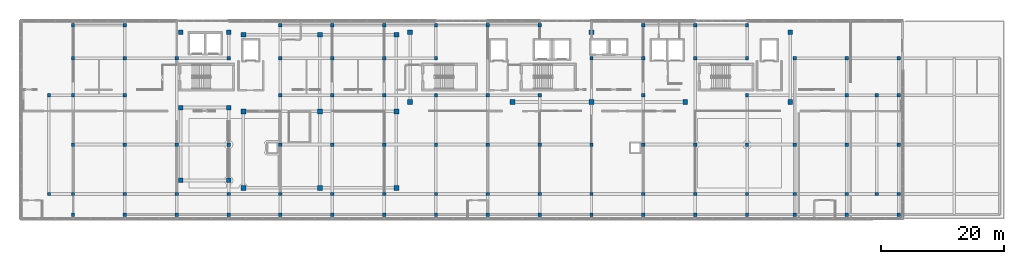
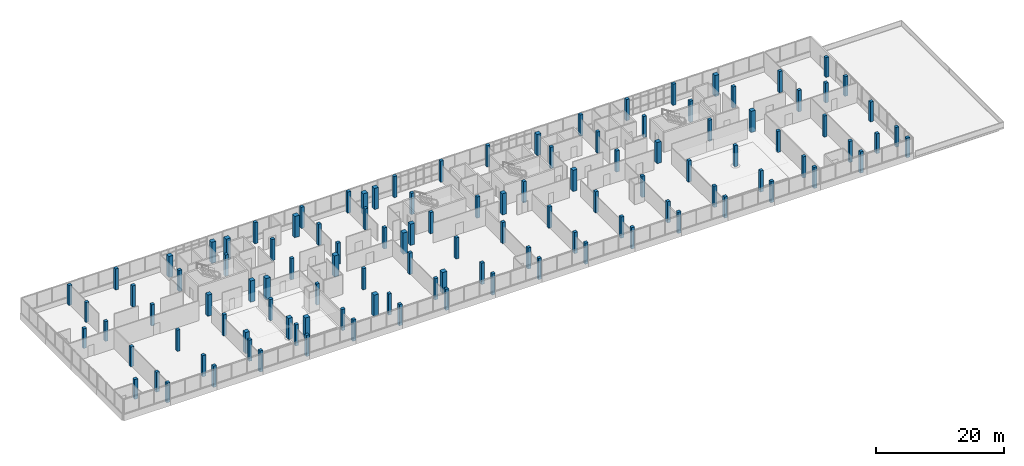
# One storey, part 1 of 66: 116 columns.
"""IFC4 building model written with IfcOpenShell, lengths in metres."""

from ifc_helpers import new_model, si_unit, direction, frame, origin, origin_2d, place, context, subcontext, project, spatial, rectangle, extrude, material, material_profile, profile_set, type_object, element, save


model = new_model("IFC4")

# Units and contexts
model_context = context("Model", 3, precision=1e-05, world=origin(), true_north=direction((0.0, 1.0)))
body_context = subcontext(model_context, "Body", "Model", "MODEL_VIEW")
ifc_project = project(units=[si_unit("LENGTHUNIT", "METRE"), si_unit("AREAUNIT", "SQUARE_METRE"), si_unit("VOLUMEUNIT", "CUBIC_METRE"), si_unit("PLANEANGLEUNIT", "RADIAN"), si_unit("MASSUNIT", "GRAM", prefix="KILO")], contexts=[model_context])

# Site, building, storey
site_placement = place(None, origin())
site = spatial("IfcSite", under=ifc_project, at=site_placement, CompositionType="ELEMENT")
building_placement = place(site_placement, origin())
building = spatial("IfcBuilding", under=site, at=building_placement, Name="Selatvlak General Hospital", CompositionType="ELEMENT")
storey_placement = place(building_placement, frame((0.0, 0.0, 31.35009765625)))
storey = spatial("IfcBuildingStorey", under=building, at=storey_placement, Name="L07", CompositionType="ELEMENT", Elevation=31.35009765625)

# Columns
ifc_material_1 = material(Name="Concrete C40/50", Category="concrete")
ifc_material_profile_1 = material_profile(ifc_material_1, rectangle(XDim=0.550048828125, YDim=0.550048828125, at=origin_2d()), Name="RC-COL 550x550")
ifc_profile_set_1 = profile_set([ifc_material_profile_1], Name="Concrete C40/50")
column_type_1 = type_object("IfcColumnType", Name="COL-RC55", PredefinedType="COLUMN", material=ifc_profile_set_1)
for number, where, z_axis, x_axis, name in (
    (1, (27.300048828125, 92.0, 0.0), (0.0, 0.0, 1.0), (1.0, 0.0, 0.0), "Column 111 on L07"),
    (2, (27.300048828125, 108.0, 0.0), (0.0, 0.0, 1.0), (1.0, 0.0, 0.0), "Column 112 on L07"),
    (3, (161.39990234375, 92.0, 0.0), (0.0, 0.0, 1.0), (1.0, 0.0, 0.0), "Column 113 on L07"),
    (4, (161.39990234375, 108.0, 0.0), (0.0, 0.0, 1.0), (1.0, 0.0, 0.0), "Column 114 on L07"),
):
    element("IfcColumn", number, at=place(storey_placement, frame(where, z_axis=z_axis, x_axis=x_axis)), inside=storey, type_object=column_type_1, Name=name, PredefinedType="COLUMN", context=body_context, shape_type="SweptSolid", body=[
        extrude(rectangle(XDim=0.550048828125, YDim=0.550048828125, at=origin_2d()), origin(), (0.0, 0.0, 1.0), 3.77783203125),
    ])
for number, where, z_axis, x_axis, name in (
    (5, (31.199951171875, 88.64990234375, 0.0), (0.0, 0.0, 1.0), (1.0, 0.0, 0.0), "Column 164 on L07"),
    (6, (31.199951171875, 92.0, 0.0), (0.0, 0.0, 1.0), (1.0, 0.0, 0.0), "Column 165 on L07"),
    (7, (31.199951171875, 100.0, 0.0), (0.0, 0.0, 1.0), (1.0, 0.0, 0.0), "Column 166 on L07"),
    (8, (31.199951171875, 108.0, 0.0), (0.0, 0.0, 1.0), (1.0, 0.0, 0.0), "Column 167 on L07"),
    (9, (31.199951171875, 114.0, 0.0), (0.0, 0.0, 1.0), (1.0, 0.0, 0.0), "Column 168 on L07"),
    (10, (31.199951171875, 119.35009765625, 0.0), (0.0, 0.0, 1.0), (1.0, 0.0, 0.0), "Column 169 on L07"),
):
    element("IfcColumn", number, at=place(storey_placement, frame(where, z_axis=z_axis, x_axis=x_axis)), inside=storey, type_object=column_type_1, Name=name, PredefinedType="COLUMN", context=body_context, shape_type="SweptSolid", body=[
        extrude(rectangle(XDim=0.550048828125, YDim=0.550048828125, at=origin_2d()), origin(), (0.0, 0.0, 1.0), 3.784912109375),
    ])
for number, where, z_axis, x_axis, name in (
    (11, (39.60009765625, 88.64990234375, 0.0), (0.0, 0.0, 1.0), (1.0, 0.0, 0.0), "Column 170 on L07"),
    (12, (39.60009765625, 92.0, 0.0), (0.0, 0.0, 1.0), (1.0, 0.0, 0.0), "Column 171 on L07"),
    (13, (39.60009765625, 100.0, 0.0), (0.0, 0.0, 1.0), (1.0, 0.0, 0.0), "Column 172 on L07"),
    (14, (39.60009765625, 108.0, 0.0), (0.0, 0.0, 1.0), (1.0, 0.0, 0.0), "Column 173 on L07"),
    (15, (39.60009765625, 114.0, 0.0), (0.0, 0.0, 1.0), (1.0, 0.0, 0.0), "Column 174 on L07"),
    (16, (39.60009765625, 119.35009765625, 0.0), (0.0, 0.0, 1.0), (1.0, 0.0, 0.0), "Column 175 on L07"),
    (17, (48.0, 88.64990234375, 0.0), (0.0, 0.0, 1.0), (1.0, 0.0, 0.0), "Column 177 on L07"),
    (18, (48.0, 92.0, 0.0), (0.0, 0.0, 1.0), (1.0, 0.0, 0.0), "Column 178 on L07"),
    (19, (48.0, 100.0, 0.0), (0.0, 0.0, 1.0), (1.0, 0.0, 0.0), "Column 179 on L07"),
    (20, (48.0, 114.0, 0.0), (0.0, 0.0, 1.0), (1.0, 0.0, 0.0), "Column 180 on L07"),
    (21, (56.39990234375, 88.64990234375, 0.0), (0.0, 0.0, 1.0), (1.0, 0.0, 0.0), "Column 181 on L07"),
    (22, (56.39990234375, 92.0, 0.0), (0.0, 0.0, 1.0), (1.0, 0.0, 0.0), "Column 182 on L07"),
    (23, (56.39990234375, 100.0, 0.0), (0.0, 0.0, 1.0), (1.0, 0.0, 0.0), "Column 183 on L07"),
    (24, (56.39990234375, 114.0, 0.0), (0.0, 0.0, 1.0), (1.0, 0.0, 0.0), "Column 184 on L07"),
    (25, (64.800048828125, 88.64990234375, 0.0), (0.0, 0.0, 1.0), (1.0, 0.0, 0.0), "Column 186 on L07"),
    (26, (64.800048828125, 92.0, 0.0), (0.0, 0.0, 1.0), (1.0, 0.0, 0.0), "Column 187 on L07"),
    (27, (64.800048828125, 100.0, 0.0), (0.0, 0.0, 1.0), (1.0, 0.0, 0.0), "Column 188 on L07"),
    (28, (64.800048828125, 108.0, 0.0), (0.0, 0.0, 1.0), (1.0, 0.0, 0.0), "Column 189 on L07"),
    (29, (64.800048828125, 114.0, 0.0), (0.0, 0.0, 1.0), (1.0, 0.0, 0.0), "Column 190 on L07"),
    (30, (64.800048828125, 119.35009765625, 0.0), (0.0, 0.0, 1.0), (1.0, 0.0, 0.0), "Column 191 on L07"),
    (31, (73.199951171875, 88.64990234375, 0.0), (0.0, 0.0, 1.0), (1.0, 0.0, 0.0), "Column 192 on L07"),
    (32, (73.199951171875, 92.0, 0.0), (0.0, 0.0, 1.0), (1.0, 0.0, 0.0), "Column 193 on L07"),
    (33, (73.199951171875, 100.0, 0.0), (0.0, 0.0, 1.0), (1.0, 0.0, 0.0), "Column 194 on L07"),
    (34, (73.199951171875, 108.0, 0.0), (0.0, 0.0, 1.0), (1.0, 0.0, 0.0), "Column 195 on L07"),
    (35, (73.199951171875, 114.0, 0.0), (0.0, 0.0, 1.0), (1.0, 0.0, 0.0), "Column 196 on L07"),
    (36, (73.199951171875, 119.35009765625, 0.0), (0.0, 0.0, 1.0), (1.0, 0.0, 0.0), "Column 197 on L07"),
    (37, (81.60009765625, 88.64990234375, 0.0), (0.0, 0.0, 1.0), (1.0, 0.0, 0.0), "Column 201 on L07"),
    (38, (81.60009765625, 92.0, 0.0), (0.0, 0.0, 1.0), (1.0, 0.0, 0.0), "Column 202 on L07"),
    (39, (81.60009765625, 100.0, 0.0), (0.0, 0.0, 1.0), (1.0, 0.0, 0.0), "Column 203 on L07"),
    (40, (81.60009765625, 108.0, 0.0), (0.0, 0.0, 1.0), (1.0, 0.0, 0.0), "Column 204 on L07"),
    (41, (81.60009765625, 114.0, 0.0), (0.0, 0.0, 1.0), (1.0, 0.0, 0.0), "Column 205 on L07"),
    (42, (81.60009765625, 119.35009765625, 0.0), (0.0, 0.0, 1.0), (1.0, 0.0, 0.0), "Column 206 on L07"),
    (43, (90.0, 88.64990234375, 0.0), (0.0, 0.0, 1.0), (1.0, 0.0, 0.0), "Column 210 on L07"),
    (44, (90.0, 92.0, 0.0), (0.0, 0.0, 1.0), (1.0, 0.0, 0.0), "Column 211 on L07"),
    (45, (90.0, 100.0, 0.0), (0.0, 0.0, 1.0), (1.0, 0.0, 0.0), "Column 212 on L07"),
    (46, (90.0, 108.0, 0.0), (0.0, 0.0, 1.0), (1.0, 0.0, 0.0), "Column 213 on L07"),
    (47, (90.0, 114.0, 0.0), (0.0, 0.0, 1.0), (1.0, 0.0, 0.0), "Column 214 on L07"),
    (48, (90.0, 119.35009765625, 0.0), (0.0, 0.0, 1.0), (1.0, 0.0, 0.0), "Column 215 on L07"),
    (49, (98.39990234375, 88.64990234375, 0.0), (0.0, 0.0, 1.0), (1.0, 0.0, 0.0), "Column 218 on L07"),
    (50, (98.39990234375, 92.0, 0.0), (0.0, 0.0, 1.0), (1.0, 0.0, 0.0), "Column 219 on L07"),
    (51, (98.39990234375, 100.0, 0.0), (0.0, 0.0, 1.0), (1.0, 0.0, 0.0), "Column 220 on L07"),
    (52, (98.39990234375, 108.0, 0.0), (0.0, 0.0, 1.0), (1.0, 0.0, 0.0), "Column 221 on L07"),
    (53, (98.39990234375, 119.35009765625, 0.0), (0.0, 0.0, 1.0), (1.0, 0.0, 0.0), "Column 222 on L07"),
    (54, (106.800048828125, 88.64990234375, 0.0), (0.0, 0.0, 1.0), (1.0, 0.0, 0.0), "Column 224 on L07"),
    (55, (106.800048828125, 92.0, 0.0), (0.0, 0.0, 1.0), (1.0, 0.0, 0.0), "Column 225 on L07"),
    (56, (106.800048828125, 100.0, 0.0), (0.0, 0.0, 1.0), (1.0, 0.0, 0.0), "Column 226 on L07"),
    (57, (106.800048828125, 108.0, 0.0), (0.0, 0.0, 1.0), (1.0, 0.0, 0.0), "Column 227 on L07"),
    (58, (106.800048828125, 119.35009765625, 0.0), (0.0, 0.0, 1.0), (1.0, 0.0, 0.0), "Column 228 on L07"),
    (59, (115.199951171875, 88.64990234375, 0.0), (0.0, 0.0, 1.0), (1.0, 0.0, 0.0), "Column 232 on L07"),
    (60, (115.199951171875, 92.0, 0.0), (0.0, 0.0, 1.0), (1.0, 0.0, 0.0), "Column 233 on L07"),
    (61, (115.199951171875, 100.0, 0.0), (0.0, 0.0, 1.0), (1.0, 0.0, 0.0), "Column 234 on L07"),
    (62, (115.199951171875, 114.0, 0.0), (0.0, 0.0, 1.0), (1.0, 0.0, 0.0), "Column 235 on L07"),
    (63, (123.60009765625, 88.64990234375, 0.0), (0.0, 0.0, 1.0), (1.0, 0.0, 0.0), "Column 240 on L07"),
    (64, (123.60009765625, 92.0, 0.0), (0.0, 0.0, 1.0), (1.0, 0.0, 0.0), "Column 241 on L07"),
    (65, (123.60009765625, 100.0, 0.0), (0.0, 0.0, 1.0), (1.0, 0.0, 0.0), "Column 242 on L07"),
    (66, (123.60009765625, 108.0, 0.0), (0.0, 0.0, 1.0), (1.0, 0.0, 0.0), "Column 243 on L07"),
    (67, (123.60009765625, 114.0, 0.0), (0.0, 0.0, 1.0), (1.0, 0.0, 0.0), "Column 244 on L07"),
    (68, (123.60009765625, 119.35009765625, 0.0), (0.0, 0.0, 1.0), (1.0, 0.0, 0.0), "Column 245 on L07"),
    (69, (132.0, 88.64990234375, 0.0), (0.0, 0.0, 1.0), (1.0, 0.0, 0.0), "Column 250 on L07"),
    (70, (132.0, 92.0, 0.0), (0.0, 0.0, 1.0), (1.0, 0.0, 0.0), "Column 251 on L07"),
    (71, (132.0, 100.0, 0.0), (0.0, 0.0, 1.0), (1.0, 0.0, 0.0), "Column 252 on L07"),
    (72, (132.0, 114.0, 0.0), (0.0, 0.0, 1.0), (1.0, 0.0, 0.0), "Column 253 on L07"),
    (73, (132.0, 119.35009765625, 0.0), (0.0, 0.0, 1.0), (1.0, 0.0, 0.0), "Column 254 on L07"),
    (74, (140.39990234375, 88.64990234375, 0.0), (0.0, 0.0, 1.0), (1.0, 0.0, 0.0), "Column 259 on L07"),
    (75, (140.39990234375, 92.0, 0.0), (0.0, 0.0, 1.0), (1.0, 0.0, 0.0), "Column 260 on L07"),
    (76, (140.39990234375, 100.0, 0.0), (0.0, 0.0, 1.0), (1.0, 0.0, 0.0), "Column 261 on L07"),
    (77, (140.39990234375, 108.0, 0.0), (0.0, 0.0, 1.0), (1.0, 0.0, 0.0), "Column 262 on L07"),
    (78, (140.39990234375, 114.0, 0.0), (0.0, 0.0, 1.0), (1.0, 0.0, 0.0), "Column 263 on L07"),
    (79, (140.39990234375, 119.35009765625, 0.0), (0.0, 0.0, 1.0), (1.0, 0.0, 0.0), "Column 264 on L07"),
    (80, (148.14990234375, 88.64990234375, 0.0), (0.0, 0.0, 1.0), (1.0, 0.0, 0.0), "Column 270 on L07"),
    (81, (148.14990234375, 92.0, 0.0), (0.0, 0.0, 1.0), (1.0, 0.0, 0.0), "Column 271 on L07"),
    (82, (148.14990234375, 100.0, 0.0), (0.0, 0.0, 1.0), (1.0, 0.0, 0.0), "Column 272 on L07"),
    (83, (148.14990234375, 114.0, 0.0), (0.0, 0.0, 1.0), (1.0, 0.0, 0.0), "Column 273 on L07"),
    (84, (156.550048828125, 88.64990234375, 0.0), (0.0, 0.0, 1.0), (1.0, 0.0, 0.0), "Column 279 on L07"),
    (85, (156.550048828125, 92.0, 0.0), (0.0, 0.0, 1.0), (1.0, 0.0, 0.0), "Column 280 on L07"),
    (86, (156.550048828125, 100.0, 0.0), (0.0, 0.0, 1.0), (1.0, 0.0, 0.0), "Column 281 on L07"),
    (87, (156.550048828125, 108.0, 0.0), (0.0, 0.0, 1.0), (1.0, 0.0, 0.0), "Column 282 on L07"),
    (88, (156.550048828125, 114.0, 0.0), (0.0, 0.0, 1.0), (1.0, 0.0, 0.0), "Column 283 on L07"),
):
    element("IfcColumn", number, at=place(storey_placement, frame(where, z_axis=z_axis, x_axis=x_axis)), inside=storey, type_object=column_type_1, Name=name, PredefinedType="COLUMN", context=body_context, shape_type="SweptSolid", body=[
        extrude(rectangle(XDim=0.550048828125, YDim=0.550048828125, at=origin_2d()), origin(), (0.0, 0.0, 1.0), 4.0498046875),
    ])
for number, where, z_axis, x_axis, name in (
    (89, (164.949951171875, 88.64990234375, 0.0), (0.0, 0.0, 1.0), (1.0, 0.0, 0.0), "Column 288 on L07"),
    (90, (164.949951171875, 92.0, 0.0), (0.0, 0.0, 1.0), (1.0, 0.0, 0.0), "Column 289 on L07"),
    (91, (164.949951171875, 100.0, 0.0), (0.0, 0.0, 1.0), (1.0, 0.0, 0.0), "Column 290 on L07"),
    (92, (164.949951171875, 108.0, 0.0), (0.0, 0.0, 1.0), (1.0, 0.0, 0.0), "Column 291 on L07"),
    (93, (164.949951171875, 114.0, 0.0), (0.0, 0.0, 1.0), (1.0, 0.0, 0.0), "Column 292 on L07"),
):
    element("IfcColumn", number, at=place(storey_placement, frame(where, z_axis=z_axis, x_axis=x_axis)), inside=storey, type_object=column_type_1, Name=name, PredefinedType="COLUMN", context=body_context, shape_type="SweptSolid", body=[
        extrude(rectangle(XDim=0.550048828125, YDim=0.550048828125, at=origin_2d()), origin(), (0.0, 0.0, 1.0), 3.77783203125),
    ])
ifc_material_2 = material(Name="Concrete C50/60", Category="concrete")
ifc_material_profile_2 = material_profile(ifc_material_2, rectangle(XDim=0.75, YDim=0.75, at=origin_2d()), Name="RC-COL 750x750")
ifc_profile_set_2 = profile_set([ifc_material_profile_2], Name="Concrete C50/60")
column_type_2 = type_object("IfcColumnType", Name="COL-RC75", PredefinedType="COLUMN", material=ifc_profile_set_2)
for number, where, z_axis, x_axis, name in (
    (94, (48.64990234375, 94.199951171875, 0.0), (0.0, 0.0, 1.0), (1.0, 0.0, 0.0), "Column 046 on L07"),
    (95, (56.39990234375, 94.199951171875, 0.0), (0.0, 0.0, 1.0), (1.0, 0.0, 0.0), "Column 047 on L07"),
    (96, (48.64990234375, 106.0, 0.0), (0.0, 0.0, 1.0), (1.0, 0.0, 0.0), "Column 048 on L07"),
    (97, (56.39990234375, 106.0, 0.0), (0.0, 0.0, 1.0), (1.0, 0.0, 0.0), "Column 049 on L07"),
    (98, (48.64990234375, 118.199951171875, 0.0), (0.0, 0.0, 1.0), (1.0, 0.0, 0.0), "Column 050 on L07"),
    (99, (56.39990234375, 118.199951171875, 0.0), (0.0, 0.0, 1.0), (1.0, 0.0, 0.0), "Column 051 on L07"),
    (100, (85.800048828125, 106.89990234375, 0.0), (0.0, 0.0, 1.0), (1.0, 0.0, 0.0), "Column 052 on L07"),
    (101, (102.39990234375, 106.89990234375, 0.0), (0.0, 0.0, 1.0), (1.0, 0.0, 0.0), "Column 053 on L07"),
    (102, (115.199951171875, 106.89990234375, 0.0), (0.0, 0.0, 1.0), (1.0, 0.0, 0.0), "Column 054 on L07"),
    (103, (130.39990234375, 106.89990234375, 0.0), (0.0, 0.0, 1.0), (1.0, 0.0, 0.0), "Column 055 on L07"),
    (104, (147.39990234375, 106.89990234375, 0.0), (0.0, 0.0, 1.0), (1.0, 0.0, 0.0), "Column 056 on L07"),
    (105, (85.800048828125, 118.199951171875, 0.0), (0.0, 0.0, 1.0), (1.0, 0.0, 0.0), "Column 057 on L07"),
    (106, (115.199951171875, 118.199951171875, 0.0), (0.0, 0.0, 1.0), (1.0, 0.0, 0.0), "Column 058 on L07"),
    (107, (147.39990234375, 118.199951171875, 0.0), (0.0, 0.0, 1.0), (1.0, 0.0, 0.0), "Column 059 on L07"),
):
    element("IfcColumn", number, at=place(storey_placement, frame(where, z_axis=z_axis, x_axis=x_axis)), inside=storey, type_object=column_type_2, Name=name, PredefinedType="COLUMN", context=body_context, shape_type="SweptSolid", body=[
        extrude(rectangle(XDim=0.75, YDim=0.75, at=origin_2d()), origin(), (0.0, 0.0, 1.0), 4.0498046875),
    ])
ifc_material_profile_3 = material_profile(ifc_material_2, rectangle(XDim=0.800048828125, YDim=0.800048828125, at=origin_2d()), Name="RC-COL 800x800")
ifc_profile_set_3 = profile_set([ifc_material_profile_3], Name="Concrete C50/60")
column_type_3 = type_object("IfcColumnType", Name="COL-RC80", PredefinedType="COLUMN", material=ifc_profile_set_3)
for number, where, z_axis, x_axis, name in (
    (108, (58.800048828125, 93.0, 0.0), (0.0, 0.0, 1.0), (1.0, 0.0, 0.0), "Column 037 on L07"),
    (109, (58.800048828125, 105.39990234375, 0.0), (0.0, 0.0, 1.0), (1.0, 0.0, 0.0), "Column 038 on L07"),
    (110, (58.800048828125, 117.800048828125, 0.0), (0.0, 0.0, 1.0), (1.0, 0.0, 0.0), "Column 039 on L07"),
    (111, (71.199951171875, 93.0, 0.0), (0.0, 0.0, 1.0), (1.0, 0.0, 0.0), "Column 040 on L07"),
    (112, (71.199951171875, 105.39990234375, 0.0), (0.0, 0.0, 1.0), (1.0, 0.0, 0.0), "Column 041 on L07"),
    (113, (71.199951171875, 117.800048828125, 0.0), (0.0, 0.0, 1.0), (1.0, 0.0, 0.0), "Column 042 on L07"),
    (114, (83.60009765625, 93.0, 0.0), (0.0, 0.0, 1.0), (1.0, 0.0, 0.0), "Column 043 on L07"),
    (115, (83.60009765625, 105.39990234375, 0.0), (0.0, 0.0, 1.0), (1.0, 0.0, 0.0), "Column 044 on L07"),
    (116, (83.60009765625, 117.800048828125, 0.0), (0.0, 0.0, 1.0), (1.0, 0.0, 0.0), "Column 045 on L07"),
):
    element("IfcColumn", number, at=place(storey_placement, frame(where, z_axis=z_axis, x_axis=x_axis)), inside=storey, type_object=column_type_3, Name=name, PredefinedType="COLUMN", context=body_context, shape_type="SweptSolid", body=[
        extrude(rectangle(XDim=0.800048828125, YDim=0.800048828125, at=origin_2d()), origin(), (0.0, 0.0, 1.0), 4.0498046875),
    ])

save(model, "model.ifc")
